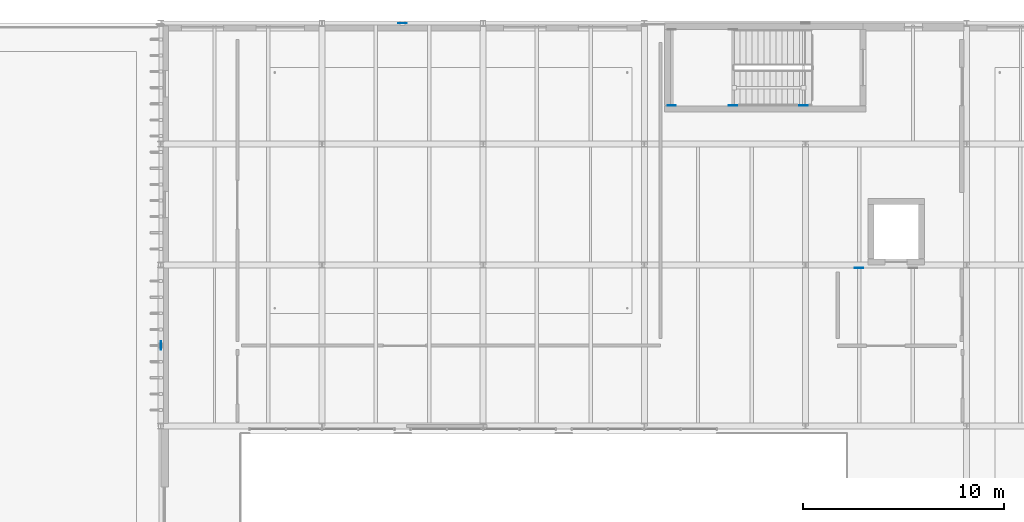
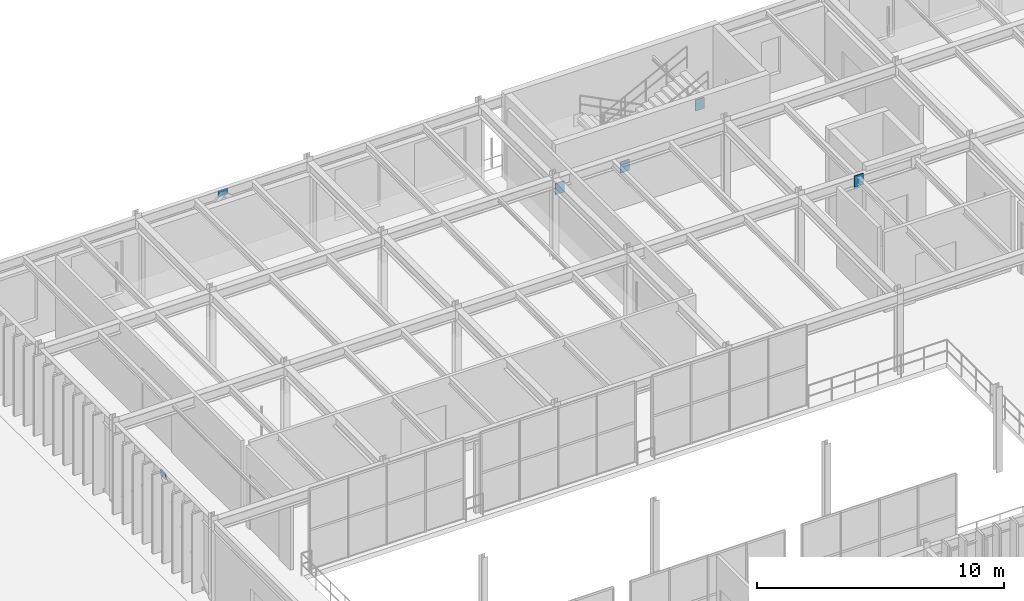
# One storey, part 76 of 122: 6 plates.
"""IFC4 building model written with IfcOpenShell, lengths in metres."""

import ifcopenshell
import ifcopenshell.guid

model = None  # the IFC model being written
_history = None  # IfcOwnerHistory: only IFC2X3 demands one
_inside = {}  # id of a spatial element -> (the spatial element, [elements in it])
_under = {}  # id of a project, library or spatial element -> (it, [spatial elements below it])
_declared = {}  # id of a project -> (the project, [libraries it declares])
_typed = {}  # id of a type object -> (the type object, [elements of that type])
_made_of = {}  # id of a material, layer set ... -> (it, [elements and type objects made of it])


def new_model(schema):
    """Start an empty IFC model of exactly this schema.

    Asked for "IFC4X3", IfcOpenShell would pick the latest addendum, in which some entities
    have other attributes; the version numbers below select the first issue.
    IFC2X3 requires an IfcOwnerHistory on every rooted entity: one is made here for all.
    """
    global model, _history
    if schema == "IFC4X3":
        model = ifcopenshell.file(schema_version=(4, 3, 0, 0))
    else:
        model = ifcopenshell.file(schema=schema)
    _inside.clear()
    _under.clear()
    _declared.clear()
    _typed.clear()
    _made_of.clear()
    _history = None
    if model.schema == "IFC2X3":
        org = make("IfcOrganization", Name="unknown")
        user = make(
            "IfcPersonAndOrganization",
            ThePerson=make("IfcPerson", FamilyName="unknown"),
            TheOrganization=org,
        )
        app = make(
            "IfcApplication",
            ApplicationDeveloper=org,
            Version="unknown",
            ApplicationFullName="unknown",
            ApplicationIdentifier="unknown",
        )
        _history = make(
            "IfcOwnerHistory",
            OwningUser=user,
            OwningApplication=app,
            ChangeAction="ADDED",
            CreationDate=0,
        )
    return model


def make(cls, **values):
    """One entity of the class cls with the attributes given. An attribute that is None is left unset."""
    return model.create_entity(
        cls, **{name: value for name, value in values.items() if value is not None}
    )


def rooted(cls, **values):
    """An entity with a GlobalId (a new one), such as an element, a storey or a relation."""
    return make(cls, GlobalId=ifcopenshell.guid.new(), OwnerHistory=_history, **values)


def si_unit(unit_type, name, prefix=None):
    """IfcSIUnit, for example si_unit("LENGTHUNIT", "METRE", prefix="MILLI")."""
    return make("IfcSIUnit", UnitType=unit_type, Prefix=prefix, Name=name)


def assignment(units):
    """IfcUnitAssignment: the units of a project."""
    return None if units is None else make("IfcUnitAssignment", Units=units)


def point(xyz):
    """IfcCartesianPoint."""
    return None if xyz is None else make("IfcCartesianPoint", Coordinates=xyz)


def direction(xyz):
    """IfcDirection."""
    return None if xyz is None else make("IfcDirection", DirectionRatios=xyz)


def frame(location, z_axis=None, x_axis=None):
    """IfcAxis2Placement3D, a coordinate frame: its origin and axes. An axis left out is left unset."""
    return make(
        "IfcAxis2Placement3D",
        Location=point(location),
        Axis=direction(z_axis),
        RefDirection=direction(x_axis),
    )


def frame_2d(location, x_axis=None):
    """IfcAxis2Placement2D, a coordinate frame in the plane: its origin and x axis."""
    return make(
        "IfcAxis2Placement2D", Location=point(location), RefDirection=direction(x_axis)
    )


def origin():
    """The frame at (0, 0, 0) with its axes left unset."""
    return frame((0.0, 0.0, 0.0))


def origin_2d():
    """The frame at (0, 0) in the plane with its x axis left unset."""
    return frame_2d((0.0, 0.0))


def place(relative_to, where):
    """IfcLocalPlacement: puts the frame where relative to a parent placement (None: the world)."""
    return make(
        "IfcLocalPlacement", PlacementRelTo=relative_to, RelativePlacement=where
    )


def context(
    kind, dimensions, precision=None, world=None, true_north=None, identifier=None
):
    """IfcGeometricRepresentationContext, for example the 3D "Model" context."""
    return make(
        "IfcGeometricRepresentationContext",
        ContextIdentifier=identifier,
        ContextType=kind,
        CoordinateSpaceDimension=dimensions,
        Precision=precision,
        WorldCoordinateSystem=world,
        TrueNorth=true_north,
    )


def subcontext(parent, identifier, kind, view, scale=None):
    """IfcGeometricRepresentationSubContext, for example "Body" below "Model"."""
    return make(
        "IfcGeometricRepresentationSubContext",
        ContextIdentifier=identifier,
        ContextType=kind,
        ParentContext=parent,
        TargetScale=scale,
        TargetView=view,
    )


def project(units=None, contexts=None):
    """IfcProject with its units and contexts."""
    return rooted(
        "IfcProject",
        Name="project",
        RepresentationContexts=contexts,
        UnitsInContext=assignment(units),
    )


def spatial(cls, under=None, at=None, **own):
    """A site, building, storey or space (cls), placed at a placement, below another one or the project."""
    s = rooted(cls, ObjectPlacement=at, **own)
    if under is not None:
        _under.setdefault(under.id(), (under, []))[1].append(s)
    return s


def profile(cls, at=None, kind="AREA", **sizes):
    """A parametric profile (cls). Its sizes go by their IFC names, for example OverallWidth=200.0."""
    return make(cls, ProfileType=kind, Position=at, **sizes)


def rectangle(**sizes):
    """IfcRectangleProfileDef."""
    return profile("IfcRectangleProfileDef", **sizes)


def extrude(swept, where, along, depth):
    """IfcExtrudedAreaSolid: the profile swept, set in the frame where, extruded along a direction by depth."""
    return make(
        "IfcExtrudedAreaSolid",
        SweptArea=swept,
        Position=where,
        ExtrudedDirection=direction(along),
        Depth=depth,
    )


def shape(context_of_items, identifier, shape_type, items):
    """IfcShapeRepresentation: the items that make up one representation, for example the "Body"."""
    return make(
        "IfcShapeRepresentation",
        ContextOfItems=context_of_items,
        RepresentationIdentifier=identifier,
        RepresentationType=shape_type,
        Items=items,
    )


def material(Name=None, Category=None):
    """IfcMaterial."""
    return make("IfcMaterial", Name=Name, Category=Category)


def layer(
    of_material, thickness, ventilated=None, Name=None, Category=None, Priority=None
):
    """IfcMaterialLayer: one layer of a wall or slab, of a material (None: an air gap)."""
    return make(
        "IfcMaterialLayer",
        Material=of_material,
        LayerThickness=thickness,
        IsVentilated=ventilated,
        Name=Name,
        Category=Category,
        Priority=Priority,
    )


def layer_set(layers, Name=None):
    """IfcMaterialLayerSet."""
    return make("IfcMaterialLayerSet", MaterialLayers=layers, LayerSetName=Name)


def made_of(thing, what):
    """Note that an element or type object is made of a material, layer set ...; save() writes the relation."""
    if what is not None:
        _made_of.setdefault(what.id(), (what, []))[1].append(thing)
    return thing


def type_object(cls, material=None, **own):
    """A type object (cls), such as IfcWallType, which elements share."""
    return made_of(rooted(cls, **own), material)


def element(
    cls,
    number,
    at=None,
    inside=None,
    cuts=None,
    type_object=None,
    material=None,
    context=None,
    identifier="Body",
    shape_type=None,
    held_by="IfcProductDefinitionShape",
    body=None,
    shapes=None,
    **own,
):
    """One element of the class cls, such as IfcWall. Its Tag is "e" and its number.

    at: its placement. inside: the storey or other place that contains it. cuts: it is an
    opening in that element (IfcRelVoidsElement). A single representation is given by context,
    identifier, shape_type and body (its items); several are given by shapes. held_by: the class
    of the entity that holds the representations. save() writes the other relations.
    """
    e = rooted(cls, Tag="e%d" % number, ObjectPlacement=at, **own)
    if body is not None:
        shapes = [shape(context, identifier, shape_type, body)]
    if shapes is not None:
        e.Representation = make(held_by, Representations=shapes)
    if inside is not None:
        _inside.setdefault(inside.id(), (inside, []))[1].append(e)
    if cuts is not None:
        rooted(
            "IfcRelVoidsElement", RelatingBuildingElement=cuts, RelatedOpeningElement=e
        )
    if type_object is not None:
        _typed.setdefault(type_object.id(), (type_object, []))[1].append(e)
    return made_of(e, material)


def aggregate(whole, parts):
    """IfcRelAggregates: a whole, such as a stair, and the parts it consists of."""
    return rooted("IfcRelAggregates", RelatingObject=whole, RelatedObjects=parts)


def save(model, path):
    """Write the relations noted so far, then the file.

    IfcRelAggregates (storeys below a building ...), IfcRelContainedInSpatialStructure (elements
    in a storey), IfcRelDefinesByType, IfcRelAssociatesMaterial and IfcRelDeclares: one each for
    every whole, place, type object, material and project.
    """
    for whole, parts in _under.values():
        aggregate(whole, parts)
    for where, things in _inside.values():
        rooted(
            "IfcRelContainedInSpatialStructure",
            RelatedElements=things,
            RelatingStructure=where,
        )
    for kind, things in _typed.values():
        rooted("IfcRelDefinesByType", RelatedObjects=things, RelatingType=kind)
    for what, things in _made_of.values():
        rooted("IfcRelAssociatesMaterial", RelatedObjects=things, RelatingMaterial=what)
    for by, libraries in _declared.values():
        rooted("IfcRelDeclares", RelatingContext=by, RelatedDefinitions=libraries)
    model.write(path)


model = new_model("IFC4")

# Units and contexts
model_context = context("Model", 3, precision=1e-05, world=origin(), true_north=direction((0.0, 1.0)))
body_context = subcontext(model_context, "Body", "Model", "MODEL_VIEW")
ifc_project = project(units=[si_unit("LENGTHUNIT", "METRE"), si_unit("AREAUNIT", "SQUARE_METRE"), si_unit("VOLUMEUNIT", "CUBIC_METRE"), si_unit("PLANEANGLEUNIT", "RADIAN"), si_unit("MASSUNIT", "GRAM", prefix="KILO")], contexts=[model_context])

# Site, building, storey
site_placement = place(None, origin())
site = spatial("IfcSite", under=ifc_project, at=site_placement, CompositionType="ELEMENT")
building_placement = place(site_placement, origin())
building = spatial("IfcBuilding", under=site, at=building_placement, Name="Sundkrona Museum", CompositionType="ELEMENT")
storey_placement = place(building_placement, frame((0.0, 0.0, 5.39990234375)))
storey = spatial("IfcBuildingStorey", under=building, at=storey_placement, Name="L01", CompositionType="ELEMENT", Elevation=5.39990234375)

# Plates
ifc_material = material(Name="Steel S355J2", Category="steel")
ifc_layer_1 = layer(ifc_material, 0.034912109375)
ifc_layer_set_1 = layer_set([ifc_layer_1], Name="Steel S355J2")
plate_type_1 = type_object("IfcPlateType", Name="EP-1", PredefinedType="USERDEFINED", material=ifc_layer_set_1)
for number, where, z_axis, x_axis, name in (
    (1, (50.666748046875, 101.85595703125, 3.5), (0.0, 0.0, 1.0), (1.0, 0.0, 0.0), "Core Wall Cast-In Embed Plate JS-L01-0607-2"),
    (2, (41.36328125, 109.909912109375, 1.5), (0.0, 0.0, 1.0), (1.0, 0.0, 0.0), "Core Wall Cast-In Embed Plate BM-STLD-ST-3-L01-1A-1"),
    (3, (44.401611328125, 109.909912109375, 1.5), (0.0, 0.0, 1.0), (1.0, 0.0, 0.0), "Core Wall Cast-In Embed Plate BM-STLD-ST-3-L01-1B-1"),
    (4, (47.89990234375, 109.909912109375, 3.33349609375), (0.0, 0.0, 1.0), (1.0, 0.0, 0.0), "Core Wall Cast-In Embed Plate BM-STHD-ST-3-L01-2-1"),
):
    element("IfcPlate", number, at=place(storey_placement, frame(where, z_axis=z_axis, x_axis=x_axis)), inside=storey, type_object=plate_type_1, Name=name, ObjectType="GUSSET PLATE", PredefinedType="USERDEFINED", context=body_context, shape_type="SweptSolid", body=[
        extrude(rectangle(XDim=0.419921875, YDim=0.034912109375, at=origin_2d()), origin(), (0.0, 0.0, 1.0), 0.56005859375),
    ])
ifc_layer_2 = layer(ifc_material, 0.02197265625)
ifc_layer_set_2 = layer_set([ifc_layer_2], Name="Steel S355J2")
plate_type_2 = type_object("IfcPlateType", Name="GP-5", PredefinedType="USERDEFINED", material=ifc_layer_set_2)
for number, where, z_axis, x_axis, name in (
    (5, (28.0, 114.0, 3.5849609375), (0.0, 0.0, 1.0), (1.0, 0.0, 0.0), "L01 Chevron Apex Gusset Plate 015"),
    (6, (16.0, 98.0, 3.5849609375), (0.0, 0.0, 1.0), (0.0, 1.0, 0.0), "L01 Chevron Apex Gusset Plate 022"),
):
    element("IfcPlate", number, at=place(storey_placement, frame(where, z_axis=z_axis, x_axis=x_axis)), inside=storey, type_object=plate_type_2, Name=name, ObjectType="GUSSET PLATE", PredefinedType="USERDEFINED", context=body_context, shape_type="SweptSolid", body=[
        extrude(rectangle(XDim=0.43994140625, YDim=0.02197265625, at=origin_2d()), origin(), (0.0, 0.0, 1.0), 0.31005859375),
    ])

save(model, "model.ifc")
